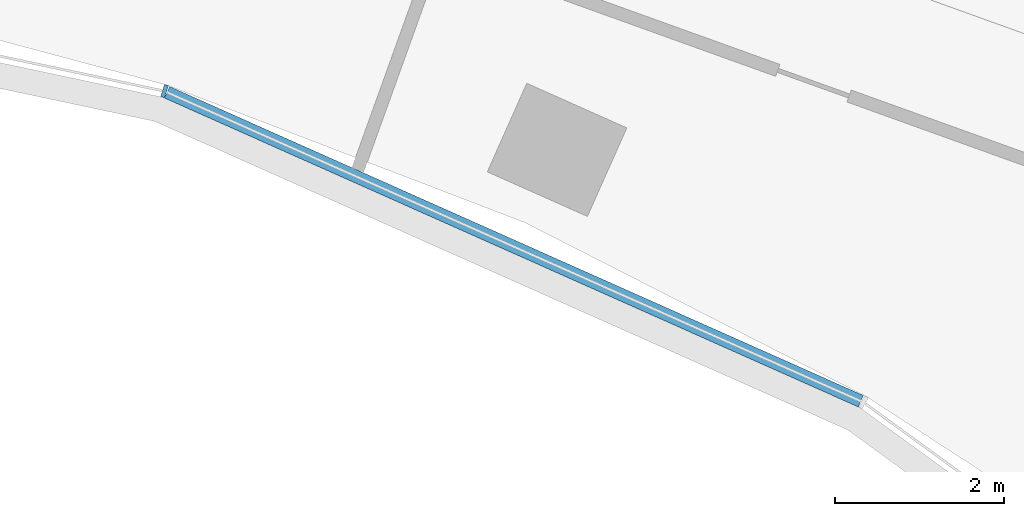
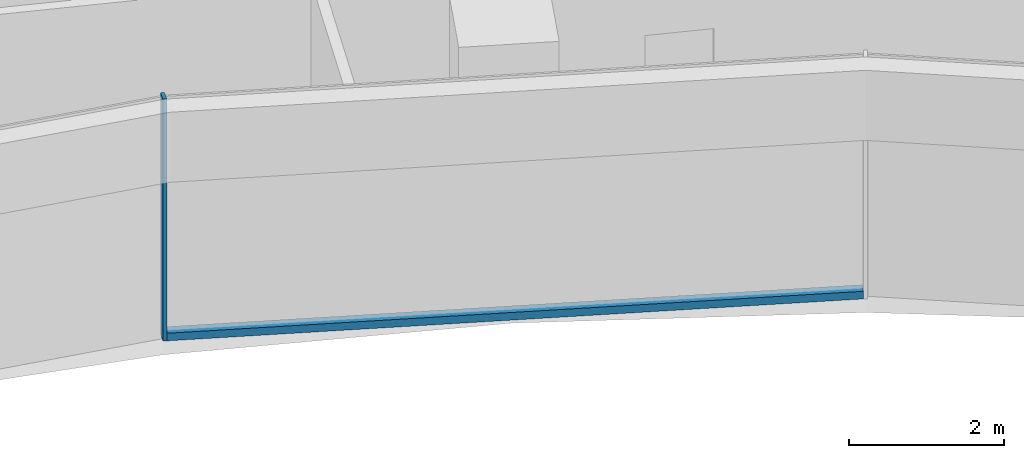
# One storey, part 8 of 21: 2 members, 1 element without a shape of its own.
"""IFC4 building model written with IfcOpenShell, lengths in metres."""

from ifc_helpers import new_model, si_unit, direction, frame, origin, origin_2d, place, context, subcontext, project, spatial, rectangle, extrude, material, layer, layer_set, material_profile, profile_set, type_object, element, aggregate, save


model = new_model("IFC4")

# Units and contexts
model_context = context("Model", 3, precision=1e-05, world=origin(), true_north=direction((0.0, 1.0)))
body_context = subcontext(model_context, "Body", "Model", "MODEL_VIEW")
ifc_project = project(units=[si_unit("LENGTHUNIT", "METRE"), si_unit("AREAUNIT", "SQUARE_METRE"), si_unit("VOLUMEUNIT", "CUBIC_METRE"), si_unit("PLANEANGLEUNIT", "RADIAN"), si_unit("MASSUNIT", "GRAM", prefix="KILO")], contexts=[model_context])

# Site, building, storey
site_placement = place(None, origin())
site = spatial("IfcSite", under=ifc_project, at=site_placement, CompositionType="ELEMENT")
building_placement = place(site_placement, origin())
building = spatial("IfcBuilding", under=site, at=building_placement, Name="Stone Belt Terrace Tower", CompositionType="ELEMENT")
storey_placement = place(building_placement, frame((0.0, 0.0, 87.0)))
storey = spatial("IfcBuildingStorey", under=building, at=storey_placement, Name="L20", CompositionType="ELEMENT", Elevation=87.0)

# Curtain wall, members
ifc_material = material(Name="Aluminium 6063-T6 anodised frame", Category="aluminium")
ifc_layer = layer(ifc_material, 0.14990234375)
ifc_layer_set = layer_set([ifc_layer], Name="CW-B unitised concave-face curtain wall")
curtain_wall_type = type_object("IfcCurtainWallType", Name="CW-B unitised concave-face curtain wall", PredefinedType="NOTDEFINED", material=ifc_layer_set)
curtain_wall_placement = place(storey_placement, origin())
curtain_wall = element("IfcCurtainWall", 1, at=curtain_wall_placement, inside=storey, type_object=curtain_wall_type, Name="CW-B concave face L20", PredefinedType="NOTDEFINED")
ifc_material_profile_1 = material_profile(ifc_material, rectangle(XDim=0.14990234375, YDim=0.050048828125, at=origin_2d()), Name="Aluminium 6063-T6 50x150")
ifc_profile_set_1 = profile_set([ifc_material_profile_1], Name="Aluminium 6063-T6 anodised frame")
member_type_1 = type_object("IfcMemberType", Name="CW-B mullion 50 x 150", PredefinedType="MULLION", material=ifc_profile_set_1)
member_1_placement = place(storey_placement, frame((13.4189453125, 41.29931640625, 0.0), z_axis=(0.0, 0.0, 1.0), x_axis=(0.309016994375, 0.951056516295, 0.0)))
member_1 = element("IfcMember", 2, at=member_1_placement, type_object=member_type_1, Name="CW-B mullion 7", PredefinedType="MULLION", context=body_context, shape_type="SweptSolid", body=[
    extrude(rectangle(XDim=0.14990234375, YDim=0.050048828125, at=origin_2d()), origin(), (0.0, 0.0, 1.0), 3.800048828125),
])
ifc_material_profile_2 = material_profile(ifc_material, rectangle(XDim=0.14990234375, YDim=0.1201171875, at=origin_2d()), Name="Aluminium 6063-T6 150x120")
ifc_profile_set_2 = profile_set([ifc_material_profile_2], Name="Aluminium 6063-T6 anodised frame")
member_type_2 = type_object("IfcMemberType", Name="CW-B transom 120 x 150", PredefinedType="USERDEFINED", material=ifc_profile_set_2)
member_2_placement = place(storey_placement, frame((13.44873046875, 41.285888671875, 0.06005859375), z_axis=(0.913548853737, -0.406729015237, 0.0), x_axis=(0.406729015237, 0.913548853737, 0.0)))
member_2 = element("IfcMember", 3, at=member_2_placement, type_object=member_type_2, Name="CW-B transom 7.1", ObjectType="TRANSOM", PredefinedType="USERDEFINED", context=body_context, shape_type="SweptSolid", body=[
    extrude(rectangle(XDim=0.14990234375, YDim=0.1201171875, at=origin_2d()), origin(), (0.0, 0.0, 1.0), 9.0126953125),
])
aggregate(curtain_wall, [member_1, member_2])

save(model, "model.ifc")
